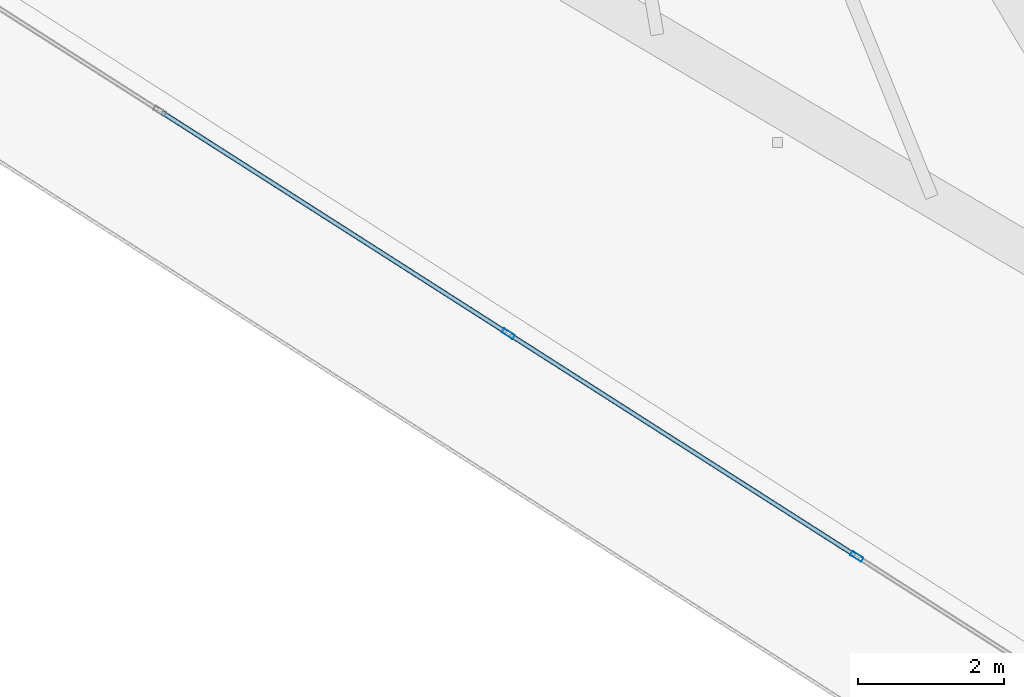
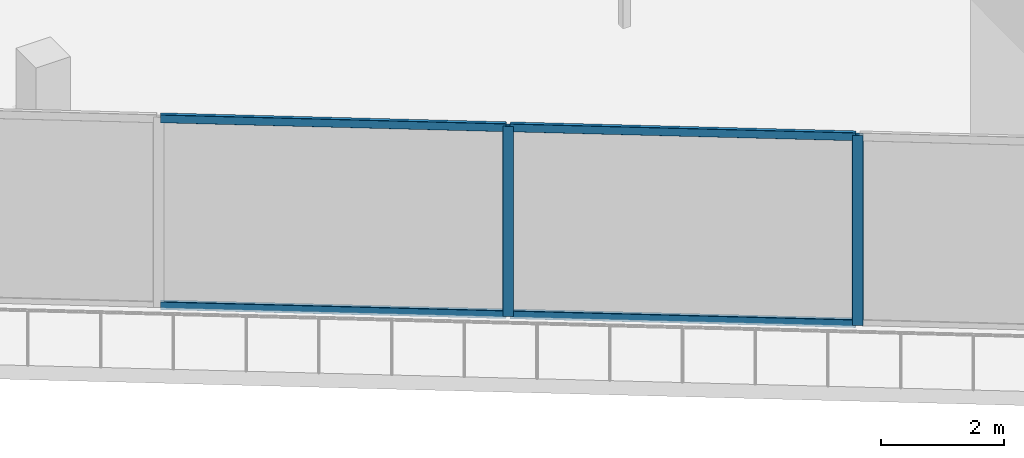
# One storey, part 7 of 42: 6 members, 1 element without a shape of its own.
"""IFC4 building model written with IfcOpenShell, lengths in metres."""

from ifc_helpers import new_model, si_unit, direction, frame, origin, origin_2d, place, context, subcontext, project, spatial, hollow_rectangle, extrude, material, layer, layer_set, material_profile, profile_set, type_object, element, aggregate, save


model = new_model("IFC4")

# Units and contexts
model_context = context("Model", 3, precision=1e-05, world=origin(), true_north=direction((0.0, 1.0)))
body_context = subcontext(model_context, "Body", "Model", "MODEL_VIEW")
ifc_project = project(units=[si_unit("LENGTHUNIT", "METRE"), si_unit("AREAUNIT", "SQUARE_METRE"), si_unit("VOLUMEUNIT", "CUBIC_METRE"), si_unit("PLANEANGLEUNIT", "RADIAN"), si_unit("MASSUNIT", "GRAM", prefix="KILO")], contexts=[model_context])

# Site, building, storey
site_placement = place(None, origin())
site = spatial("IfcSite", under=ifc_project, at=site_placement, CompositionType="ELEMENT")
building_placement = place(site_placement, origin())
building = spatial("IfcBuilding", under=site, at=building_placement, Name="Qorvath Tower", CompositionType="ELEMENT")
storey_placement = place(building_placement, frame((0.0, 0.0, 121.949951171875)))
storey = spatial("IfcBuildingStorey", under=building, at=storey_placement, Name="L27", CompositionType="ELEMENT", Elevation=121.949951171875)

# Curtain wall, members
ifc_material_1 = material(Name="Anodised aluminium and triple low-E glass", Category="aluminium")
ifc_layer = layer(ifc_material_1, 0.179931640625)
ifc_layer_set = layer_set([ifc_layer], Name="CW-SYS-2")
curtain_wall_type = type_object("IfcCurtainWallType", Name="CW-SYS-2", PredefinedType="NOTDEFINED", material=ifc_layer_set)
curtain_wall_placement = place(storey_placement, origin())
curtain_wall = element("IfcCurtainWall", 1, at=curtain_wall_placement, inside=storey, type_object=curtain_wall_type, Name="Curtain Wall CW-2 CW-T-L27-2.2", PredefinedType="NOTDEFINED")
ifc_material_2 = material(Name="Anodised aluminium 6063-T6", Category="aluminium")
ifc_material_profile_1 = material_profile(ifc_material_2, hollow_rectangle(XDim=0.06494140625, YDim=0.179931640625, WallThickness=0.00341796875, InnerFilletRadius=0.00341796875, OuterFilletRadius=0.007080078125, at=origin_2d()), Name="CWM 180x65")
ifc_profile_set_1 = profile_set([ifc_material_profile_1], Name="Anodised aluminium 6063-T6")
member_type_1 = type_object("IfcMemberType", Name="CWM-180", PredefinedType="MULLION", material=ifc_profile_set_1)
member_1_placement = place(storey_placement, frame((-25.30908203125, -24.671630859375, 0.0), z_axis=(0.0, 0.0, 1.0), x_axis=(0.538536165559, 0.84260239638, 0.0)))
member_1 = element("IfcMember", 2, at=member_1_placement, type_object=member_type_1, Name="CW-2 mullion 3", PredefinedType="MULLION", context=body_context, shape_type="SweptSolid", body=[
    extrude(hollow_rectangle(XDim=0.06494140625, YDim=0.179931640625, WallThickness=0.00341796875, InnerFilletRadius=0.00341796875, OuterFilletRadius=0.007080078125, at=origin_2d()), origin(), (0.0, 0.0, 1.0), 3.77001953125),
])
member_2_placement = place(storey_placement, frame((-20.52294921875, -27.73046875, 0.0), z_axis=(0.0, 0.0, 1.0), x_axis=(0.538536165559, 0.84260239638, 0.0)))
member_2 = element("IfcMember", 3, at=member_2_placement, type_object=member_type_1, Name="CW-2 mullion 4", PredefinedType="MULLION", context=body_context, shape_type="SweptSolid", body=[
    extrude(hollow_rectangle(XDim=0.06494140625, YDim=0.179931640625, WallThickness=0.00341796875, InnerFilletRadius=0.00341796875, OuterFilletRadius=0.007080078125, at=origin_2d()), origin(), (0.0, 0.0, 1.0), 3.77001953125),
])
ifc_material_3 = material(Name="Anodised aluminium 6063-T6", Category="aluminium")
ifc_material_profile_2 = material_profile(ifc_material_3, hollow_rectangle(XDim=0.06494140625, YDim=0.159912109375, WallThickness=0.00341796875, InnerFilletRadius=0.00341796875, OuterFilletRadius=0.007080078125, at=origin_2d()), Name="CWT 160x65")
ifc_profile_set_2 = profile_set([ifc_material_profile_2], Name="Anodised aluminium 6063-T6")
member_type_2 = type_object("IfcMemberType", Name="CWT-160", PredefinedType="USERDEFINED", material=ifc_profile_set_2)
member_3_placement = place(storey_placement, frame((-30.068115234375, -21.630126953125, 0.032470703125), z_axis=(0.842610769528, -0.538523064571, 0.0), x_axis=(0.538523064571, 0.842610769528, 0.0)))
member_3 = element("IfcMember", 4, at=member_3_placement, type_object=member_type_2, Name="CW-2 transom 2.1", ObjectType="TRANSOM", PredefinedType="USERDEFINED", context=body_context, shape_type="SweptSolid", body=[
    extrude(hollow_rectangle(XDim=0.06494140625, YDim=0.159912109375, WallThickness=0.00341796875, InnerFilletRadius=0.00341796875, OuterFilletRadius=0.007080078125, at=origin_2d()), origin(), (0.0, 0.0, 1.0), 5.615234375),
])
member_4_placement = place(storey_placement, frame((-30.068115234375, -21.630126953125, 3.737548828125), z_axis=(0.842610769528, -0.538523064571, 0.0), x_axis=(0.538523064571, 0.842610769528, 0.0)))
member_4 = element("IfcMember", 5, at=member_4_placement, type_object=member_type_2, Name="CW-2 transom 2.2", ObjectType="TRANSOM", PredefinedType="USERDEFINED", context=body_context, shape_type="SweptSolid", body=[
    extrude(hollow_rectangle(XDim=0.06494140625, YDim=0.159912109375, WallThickness=0.00341796875, InnerFilletRadius=0.00341796875, OuterFilletRadius=0.007080078125, at=origin_2d()), origin(), (0.0, 0.0, 1.0), 5.615234375),
])
member_5_placement = place(storey_placement, frame((-25.28173828125, -24.68896484375, 0.032470703125), z_axis=(0.842591040449, -0.538553932819, 0.0), x_axis=(0.538553932819, 0.842591040449, 0.0)))
member_5 = element("IfcMember", 6, at=member_5_placement, type_object=member_type_2, Name="CW-2 transom 3.1", ObjectType="TRANSOM", PredefinedType="USERDEFINED", context=body_context, shape_type="SweptSolid", body=[
    extrude(hollow_rectangle(XDim=0.06494140625, YDim=0.159912109375, WallThickness=0.00341796875, InnerFilletRadius=0.00341796875, OuterFilletRadius=0.007080078125, at=origin_2d()), origin(), (0.0, 0.0, 1.0), 5.615234375),
])
member_6_placement = place(storey_placement, frame((-25.28173828125, -24.68896484375, 3.737548828125), z_axis=(0.842591040449, -0.538553932819, 0.0), x_axis=(0.538553932819, 0.842591040449, 0.0)))
member_6 = element("IfcMember", 7, at=member_6_placement, type_object=member_type_2, Name="CW-2 transom 3.2", ObjectType="TRANSOM", PredefinedType="USERDEFINED", context=body_context, shape_type="SweptSolid", body=[
    extrude(hollow_rectangle(XDim=0.06494140625, YDim=0.159912109375, WallThickness=0.00341796875, InnerFilletRadius=0.00341796875, OuterFilletRadius=0.007080078125, at=origin_2d()), origin(), (0.0, 0.0, 1.0), 5.615234375),
])
aggregate(curtain_wall, [member_1, member_2, member_3, member_4, member_5, member_6])

save(model, "model.ifc")
